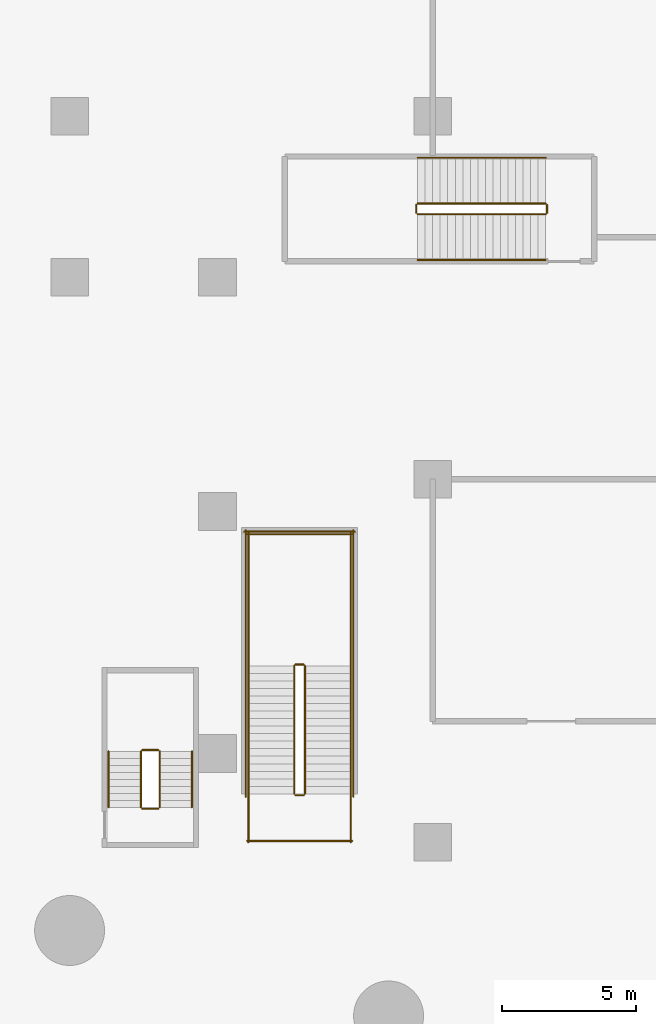
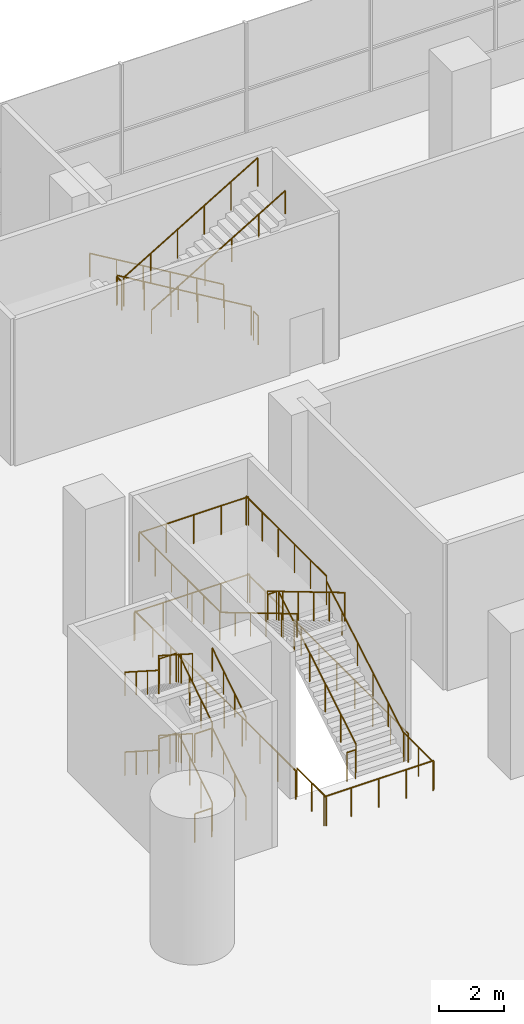
# One storey, part 49 of 52: 33 railings.
"""IFC4 building model written with IfcOpenShell, lengths in metres."""

from ifc_helpers import new_model, si_unit, direction, frame, origin, origin_2d, place, context, subcontext, project, spatial, circle, extrude, material, type_object, element, save


model = new_model("IFC4")

# Units and contexts
model_context = context("Model", 3, precision=1e-05, world=origin(), true_north=direction((0.0, 1.0)))
body_context = subcontext(model_context, "Body", "Model", "MODEL_VIEW")
ifc_project = project(units=[si_unit("LENGTHUNIT", "METRE"), si_unit("AREAUNIT", "SQUARE_METRE"), si_unit("VOLUMEUNIT", "CUBIC_METRE"), si_unit("PLANEANGLEUNIT", "RADIAN"), si_unit("MASSUNIT", "GRAM", prefix="KILO")], contexts=[model_context])

# Site, building, storey
site_placement = place(None, origin())
site = spatial("IfcSite", under=ifc_project, at=site_placement, CompositionType="ELEMENT")
building_placement = place(site_placement, origin())
building = spatial("IfcBuilding", under=site, at=building_placement, Name="Tamarind Cross Interchange Tower", CompositionType="ELEMENT")
storey_placement = place(building_placement, frame((0.0, 0.0, 9.0)))
storey = spatial("IfcBuildingStorey", under=building, at=storey_placement, Name="L01", CompositionType="ELEMENT", Elevation=9.0)

# Railings
ifc_material_1 = material(Name="Public stair guard")
railing_type_1 = type_object("IfcRailingType", Name="Public stair guard", PredefinedType="GUARDRAIL", material=ifc_material_1)
railing_1_placement = place(storey_placement, frame((8.75, 28.800048828125, 0.166748046875)))
element("IfcRailing", 1, at=railing_1_placement, inside=storey, type_object=railing_type_1, Name="L01 PS-N stair guard 1", PredefinedType="GUARDRAIL", context=body_context, shape_type="SweptSolid", body=[
    extrude(circle(Radius=0.02392578125, at=origin_2d()), frame((0.0, 0.0, 1.076171875), z_axis=(0.0, 0.859299802514, 0.511472237174), x_axis=(-1.0, 0.0, 0.0)), (0.0, 0.0, 1.0), 5.539306640625),
    extrude(circle(Radius=0.02099609375, at=origin_2d()), origin(), (0.0, 0.0, 1.0), 1.052001953125),
    extrude(circle(Radius=0.02099609375, at=origin_2d()), frame((0.0, 0.951904296875, 0.566650390625)), (0.0, 0.0, 1.0), 1.052001953125),
    extrude(circle(Radius=0.02099609375, at=origin_2d()), frame((0.0, 1.904052734375, 1.13330078125)), (0.0, 0.0, 1.0), 1.052001953125),
    extrude(circle(Radius=0.02099609375, at=origin_2d()), frame((0.0, 2.85595703125, 1.699951171875)), (0.0, 0.0, 1.0), 1.052001953125),
    extrude(circle(Radius=0.02099609375, at=origin_2d()), frame((0.0, 3.80810546875, 2.2666015625)), (0.0, 0.0, 1.0), 1.052001953125),
    extrude(circle(Radius=0.02099609375, at=origin_2d()), frame((0.0, 4.760009765625, 2.833251953125)), (0.0, 0.0, 1.0), 1.052001953125),
])
railing_2_placement = place(storey_placement, frame((8.699951171875, 33.610107421875, 3.0)))
element("IfcRailing", 2, at=railing_2_placement, inside=storey, type_object=railing_type_1, Name="L01 PS-N stair guard 2", PredefinedType="GUARDRAIL", context=body_context, shape_type="SweptSolid", body=[
    extrude(circle(Radius=0.02392578125, at=origin_2d()), frame((0.0, 0.0, 1.076171875), z_axis=(-1.0, 0.0, 0.0), x_axis=(0.0, -1.0, 0.0)), (0.0, 0.0, 1.0), 0.300048828125),
    extrude(circle(Radius=0.02099609375, at=origin_2d()), origin(), (0.0, 0.0, 1.0), 1.052001953125),
    extrude(circle(Radius=0.02099609375, at=origin_2d()), frame((-0.300048828125, 0.0, 0.0)), (0.0, 0.0, 1.0), 1.052001953125),
])
for number, where, name in (
    (3, (10.449951171875, 33.56005859375, 3.0), "L01 PS-N stair guard 3"),
    (4, (6.64990234375, 33.56005859375, 3.0), "L01 PS-N stair guard 4"),
):
    element("IfcRailing", number, at=place(storey_placement, frame(where)), inside=storey, type_object=railing_type_1, Name=name, PredefinedType="GUARDRAIL", context=body_context, shape_type="SweptSolid", body=[
        extrude(circle(Radius=0.02392578125, at=origin_2d()), frame((0.0, 0.0, 1.076171875), z_axis=(0.0, 1.0, 0.0), x_axis=(-1.0, 0.0, 0.0)), (0.0, 0.0, 1.0), 4.93994140625),
        extrude(circle(Radius=0.02099609375, at=origin_2d()), origin(), (0.0, 0.0, 1.0), 1.052001953125),
        extrude(circle(Radius=0.02099609375, at=origin_2d()), frame((0.0, 0.988037109375, 0.0)), (0.0, 0.0, 1.0), 1.052001953125),
        extrude(circle(Radius=0.02099609375, at=origin_2d()), frame((0.0, 1.97607421875, 0.0)), (0.0, 0.0, 1.0), 1.052001953125),
        extrude(circle(Radius=0.02099609375, at=origin_2d()), frame((0.0, 2.9638671875, 0.0)), (0.0, 0.0, 1.0), 1.052001953125),
        extrude(circle(Radius=0.02099609375, at=origin_2d()), frame((0.0, 3.951904296875, 0.0)), (0.0, 0.0, 1.0), 1.052001953125),
        extrude(circle(Radius=0.02099609375, at=origin_2d()), frame((0.0, 4.93994140625, 0.0)), (0.0, 0.0, 1.0), 1.052001953125),
    ])
railing_3_placement = place(storey_placement, frame((10.5, 38.449951171875, 3.0)))
element("IfcRailing", 5, at=railing_3_placement, inside=storey, type_object=railing_type_1, Name="L01 PS-N stair guard 5", PredefinedType="GUARDRAIL", context=body_context, shape_type="SweptSolid", body=[
    extrude(circle(Radius=0.02392578125, at=origin_2d()), frame((0.0, 0.0, 1.076171875), z_axis=(-1.0, 0.0, 0.0), x_axis=(0.0, -1.0, 0.0)), (0.0, 0.0, 1.0), 3.89990234375),
    extrude(circle(Radius=0.02099609375, at=origin_2d()), origin(), (0.0, 0.0, 1.0), 1.052001953125),
    extrude(circle(Radius=0.02099609375, at=origin_2d()), frame((-0.97509765625, 0.0, 0.0)), (0.0, 0.0, 1.0), 1.052001953125),
    extrude(circle(Radius=0.02099609375, at=origin_2d()), frame((-1.949951171875, 0.0, 0.0)), (0.0, 0.0, 1.0), 1.052001953125),
    extrude(circle(Radius=0.02099609375, at=origin_2d()), frame((-2.9248046875, 0.0, 0.0)), (0.0, 0.0, 1.0), 1.052001953125),
    extrude(circle(Radius=0.02099609375, at=origin_2d()), frame((-3.89990234375, 0.0, 0.0)), (0.0, 0.0, 1.0), 1.052001953125),
])
railing_4_placement = place(storey_placement, frame((8.35009765625, 33.56005859375, 3.166748046875)))
element("IfcRailing", 6, at=railing_4_placement, inside=storey, type_object=railing_type_1, Name="L01 PS-N stair guard 6", PredefinedType="GUARDRAIL", context=body_context, shape_type="SweptSolid", body=[
    extrude(circle(Radius=0.02392578125, at=origin_2d()), frame((0.0, 0.0, 1.076171875), z_axis=(0.0, -0.859299802514, 0.511472237174), x_axis=(1.0, 0.0, 0.0)), (0.0, 0.0, 1.0), 5.539306640625),
    extrude(circle(Radius=0.02099609375, at=origin_2d()), origin(), (0.0, 0.0, 1.0), 1.052001953125),
    extrude(circle(Radius=0.02099609375, at=origin_2d()), frame((0.0, -0.951904296875, 0.566650390625)), (0.0, 0.0, 1.0), 1.052001953125),
    extrude(circle(Radius=0.02099609375, at=origin_2d()), frame((0.0, -1.904052734375, 1.13330078125)), (0.0, 0.0, 1.0), 1.052001953125),
    extrude(circle(Radius=0.02099609375, at=origin_2d()), frame((0.0, -2.85595703125, 1.699951171875)), (0.0, 0.0, 1.0), 1.052001953125),
    extrude(circle(Radius=0.02099609375, at=origin_2d()), frame((0.0, -3.80810546875, 2.2666015625)), (0.0, 0.0, 1.0), 1.052001953125),
    extrude(circle(Radius=0.02099609375, at=origin_2d()), frame((0.0, -4.760009765625, 2.833251953125)), (0.0, 0.0, 1.0), 1.052001953125),
])
railing_5_placement = place(storey_placement, frame((8.699951171875, 28.75, 0.0)))
element("IfcRailing", 7, at=railing_5_placement, inside=storey, type_object=railing_type_1, Name="L01 PS-N stair guard 7", PredefinedType="GUARDRAIL", context=body_context, shape_type="SweptSolid", body=[
    extrude(circle(Radius=0.02392578125, at=origin_2d()), frame((0.0, 0.0, 1.076171875), z_axis=(-1.0, 0.0, 0.0), x_axis=(0.0, -1.0, 0.0)), (0.0, 0.0, 1.0), 0.300048828125),
    extrude(circle(Radius=0.02099609375, at=origin_2d()), origin(), (0.0, 0.0, 1.0), 1.052001953125),
    extrude(circle(Radius=0.02099609375, at=origin_2d()), frame((-0.300048828125, 0.0, 0.0)), (0.0, 0.0, 1.0), 1.052001953125),
])
for number, where, name in (
    (8, (10.449951171875, 27.0, 0.0), "L01 PS-N stair guard 8"),
    (9, (6.64990234375, 27.0, 0.0), "L01 PS-N stair guard 9"),
):
    element("IfcRailing", number, at=place(storey_placement, frame(where)), inside=storey, type_object=railing_type_1, Name=name, PredefinedType="GUARDRAIL", context=body_context, shape_type="SweptSolid", body=[
        extrude(circle(Radius=0.02392578125, at=origin_2d()), frame((0.0, 0.0, 1.076171875), z_axis=(0.0, 1.0, 0.0), x_axis=(-1.0, 0.0, 0.0)), (0.0, 0.0, 1.0), 1.800048828125),
        extrude(circle(Radius=0.02099609375, at=origin_2d()), origin(), (0.0, 0.0, 1.0), 1.052001953125),
        extrude(circle(Radius=0.02099609375, at=origin_2d()), frame((0.0, 0.89990234375, 0.0)), (0.0, 0.0, 1.0), 1.052001953125),
        extrude(circle(Radius=0.02099609375, at=origin_2d()), frame((0.0, 1.800048828125, 0.0)), (0.0, 0.0, 1.0), 1.052001953125),
    ])
railing_6_placement = place(storey_placement, frame((10.5, 27.050048828125, 0.0)))
element("IfcRailing", 10, at=railing_6_placement, inside=storey, type_object=railing_type_1, Name="L01 PS-N stair guard 10", PredefinedType="GUARDRAIL", context=body_context, shape_type="SweptSolid", body=[
    extrude(circle(Radius=0.02392578125, at=origin_2d()), frame((0.0, 0.0, 1.076171875), z_axis=(-1.0, 0.0, 0.0), x_axis=(0.0, -1.0, 0.0)), (0.0, 0.0, 1.0), 3.89990234375),
    extrude(circle(Radius=0.02099609375, at=origin_2d()), origin(), (0.0, 0.0, 1.0), 1.052001953125),
    extrude(circle(Radius=0.02099609375, at=origin_2d()), frame((-0.97509765625, 0.0, 0.0)), (0.0, 0.0, 1.0), 1.052001953125),
    extrude(circle(Radius=0.02099609375, at=origin_2d()), frame((-1.949951171875, 0.0, 0.0)), (0.0, 0.0, 1.0), 1.052001953125),
    extrude(circle(Radius=0.02099609375, at=origin_2d()), frame((-2.9248046875, 0.0, 0.0)), (0.0, 0.0, 1.0), 1.052001953125),
    extrude(circle(Radius=0.02099609375, at=origin_2d()), frame((-3.89990234375, 0.0, 0.0)), (0.0, 0.0, 1.0), 1.052001953125),
])
for number, where, name in (
    (11, (10.550048828125, 28.699951171875, 0.0), "L01 PS-N stair guard 11"),
    (12, (6.550048828125, 28.699951171875, 0.0), "L01 PS-N stair guard 12"),
):
    element("IfcRailing", number, at=place(storey_placement, frame(where)), inside=storey, type_object=railing_type_1, Name=name, PredefinedType="GUARDRAIL", context=body_context, shape_type="SweptSolid", body=[
        extrude(circle(Radius=0.02392578125, at=origin_2d()), frame((0.0, 0.0, 1.076171875), z_axis=(0.0, 1.0, 0.0), x_axis=(-1.0, 0.0, 0.0)), (0.0, 0.0, 1.0), 9.900146484375),
        extrude(circle(Radius=0.02099609375, at=origin_2d()), origin(), (0.0, 0.0, 1.0), 1.052001953125),
        extrude(circle(Radius=0.02099609375, at=origin_2d()), frame((0.0, 1.10009765625, 0.0)), (0.0, 0.0, 1.0), 1.052001953125),
        extrude(circle(Radius=0.02099609375, at=origin_2d()), frame((0.0, 2.199951171875, 0.0)), (0.0, 0.0, 1.0), 1.052001953125),
        extrude(circle(Radius=0.02099609375, at=origin_2d()), frame((0.0, 3.300048828125, 0.0)), (0.0, 0.0, 1.0), 1.052001953125),
        extrude(circle(Radius=0.02099609375, at=origin_2d()), frame((0.0, 4.400146484375, 0.0)), (0.0, 0.0, 1.0), 1.052001953125),
        extrude(circle(Radius=0.02099609375, at=origin_2d()), frame((0.0, 5.5, 0.0)), (0.0, 0.0, 1.0), 1.052001953125),
        extrude(circle(Radius=0.02099609375, at=origin_2d()), frame((0.0, 6.60009765625, 0.0)), (0.0, 0.0, 1.0), 1.052001953125),
        extrude(circle(Radius=0.02099609375, at=origin_2d()), frame((0.0, 7.7001953125, 0.0)), (0.0, 0.0, 1.0), 1.052001953125),
        extrude(circle(Radius=0.02099609375, at=origin_2d()), frame((0.0, 8.800048828125, 0.0)), (0.0, 0.0, 1.0), 1.052001953125),
        extrude(circle(Radius=0.02099609375, at=origin_2d()), frame((0.0, 9.900146484375, 0.0)), (0.0, 0.0, 1.0), 1.052001953125),
    ])
railing_7_placement = place(storey_placement, frame((10.60009765625, 38.550048828125, 0.0)))
element("IfcRailing", 13, at=railing_7_placement, inside=storey, type_object=railing_type_1, Name="L01 PS-N stair guard 13", PredefinedType="GUARDRAIL", context=body_context, shape_type="SweptSolid", body=[
    extrude(circle(Radius=0.02392578125, at=origin_2d()), frame((0.0, 0.0, 1.076171875), z_axis=(-1.0, 0.0, 0.0), x_axis=(0.0, -1.0, 0.0)), (0.0, 0.0, 1.0), 4.10009765625),
    extrude(circle(Radius=0.02099609375, at=origin_2d()), origin(), (0.0, 0.0, 1.0), 1.052001953125),
    extrude(circle(Radius=0.02099609375, at=origin_2d()), frame((-1.02490234375, 0.0, 0.0)), (0.0, 0.0, 1.0), 1.052001953125),
    extrude(circle(Radius=0.02099609375, at=origin_2d()), frame((-2.050048828125, 0.0, 0.0)), (0.0, 0.0, 1.0), 1.052001953125),
    extrude(circle(Radius=0.02099609375, at=origin_2d()), frame((-3.0751953125, 0.0, 0.0)), (0.0, 0.0, 1.0), 1.052001953125),
    extrude(circle(Radius=0.02099609375, at=origin_2d()), frame((-4.10009765625, 0.0, 0.0)), (0.0, 0.0, 1.0), 1.052001953125),
])
railing_8_placement = place(storey_placement, frame((17.699951171875, 50.75, 0.166748046875)))
element("IfcRailing", 14, at=railing_8_placement, inside=storey, type_object=railing_type_1, Name="L01 XS-P03 stair guard 1", PredefinedType="GUARDRAIL", context=body_context, shape_type="SweptSolid", body=[
    extrude(circle(Radius=0.02392578125, at=origin_2d()), frame((0.0, 0.0, 1.076171875), z_axis=(-0.859299802514, 0.0, 0.511472237174), x_axis=(0.0, -1.0, 0.0)), (0.0, 0.0, 1.0), 5.539306640625),
    extrude(circle(Radius=0.02099609375, at=origin_2d()), origin(), (0.0, 0.0, 1.0), 1.052001953125),
    extrude(circle(Radius=0.02099609375, at=origin_2d()), frame((-0.951904296875, 0.0, 0.566650390625)), (0.0, 0.0, 1.0), 1.052001953125),
    extrude(circle(Radius=0.02099609375, at=origin_2d()), frame((-1.904052734375, 0.0, 1.13330078125)), (0.0, 0.0, 1.0), 1.052001953125),
    extrude(circle(Radius=0.02099609375, at=origin_2d()), frame((-2.85595703125, 0.0, 1.699951171875)), (0.0, 0.0, 1.0), 1.052001953125),
    extrude(circle(Radius=0.02099609375, at=origin_2d()), frame((-3.80810546875, 0.0, 2.2666015625)), (0.0, 0.0, 1.0), 1.052001953125),
    extrude(circle(Radius=0.02099609375, at=origin_2d()), frame((-4.760009765625, 0.0, 2.833251953125)), (0.0, 0.0, 1.0), 1.052001953125),
])
railing_9_placement = place(storey_placement, frame((12.889892578125, 50.699951171875, 3.0)))
element("IfcRailing", 15, at=railing_9_placement, inside=storey, type_object=railing_type_1, Name="L01 XS-P03 stair guard 2", PredefinedType="GUARDRAIL", context=body_context, shape_type="SweptSolid", body=[
    extrude(circle(Radius=0.02392578125, at=origin_2d()), frame((0.0, 0.0, 1.076171875), z_axis=(0.0, -1.0, 0.0), x_axis=(1.0, 0.0, 0.0)), (0.0, 0.0, 1.0), 0.300048828125),
    extrude(circle(Radius=0.02099609375, at=origin_2d()), origin(), (0.0, 0.0, 1.0), 1.052001953125),
    extrude(circle(Radius=0.02099609375, at=origin_2d()), frame((0.0, -0.300048828125, 0.0)), (0.0, 0.0, 1.0), 1.052001953125),
])
railing_10_placement = place(storey_placement, frame((12.93994140625, 50.35009765625, 3.166748046875)))
element("IfcRailing", 16, at=railing_10_placement, inside=storey, type_object=railing_type_1, Name="L01 XS-P03 stair guard 3", PredefinedType="GUARDRAIL", context=body_context, shape_type="SweptSolid", body=[
    extrude(circle(Radius=0.02392578125, at=origin_2d()), frame((0.0, 0.0, 1.076171875), z_axis=(0.859299802514, 0.0, 0.511472237174), x_axis=(0.0, 1.0, 0.0)), (0.0, 0.0, 1.0), 5.539306640625),
    extrude(circle(Radius=0.02099609375, at=origin_2d()), origin(), (0.0, 0.0, 1.0), 1.052001953125),
    extrude(circle(Radius=0.02099609375, at=origin_2d()), frame((0.951904296875, 0.0, 0.566650390625)), (0.0, 0.0, 1.0), 1.052001953125),
    extrude(circle(Radius=0.02099609375, at=origin_2d()), frame((1.904052734375, 0.0, 1.13330078125)), (0.0, 0.0, 1.0), 1.052001953125),
    extrude(circle(Radius=0.02099609375, at=origin_2d()), frame((2.85595703125, 0.0, 1.699951171875)), (0.0, 0.0, 1.0), 1.052001953125),
    extrude(circle(Radius=0.02099609375, at=origin_2d()), frame((3.80810546875, 0.0, 2.2666015625)), (0.0, 0.0, 1.0), 1.052001953125),
    extrude(circle(Radius=0.02099609375, at=origin_2d()), frame((4.760009765625, 0.0, 2.833251953125)), (0.0, 0.0, 1.0), 1.052001953125),
])
railing_11_placement = place(storey_placement, frame((17.75, 50.699951171875, 0.0)))
element("IfcRailing", 17, at=railing_11_placement, inside=storey, type_object=railing_type_1, Name="L01 XS-P03 stair guard 4", PredefinedType="GUARDRAIL", context=body_context, shape_type="SweptSolid", body=[
    extrude(circle(Radius=0.02392578125, at=origin_2d()), frame((0.0, 0.0, 1.076171875), z_axis=(0.0, -1.0, 0.0), x_axis=(1.0, 0.0, 0.0)), (0.0, 0.0, 1.0), 0.300048828125),
    extrude(circle(Radius=0.02099609375, at=origin_2d()), origin(), (0.0, 0.0, 1.0), 1.052001953125),
    extrude(circle(Radius=0.02099609375, at=origin_2d()), frame((0.0, -0.300048828125, 0.0)), (0.0, 0.0, 1.0), 1.052001953125),
])
ifc_material_2 = material(Name="Public stair handrail")
railing_type_2 = type_object("IfcRailingType", Name="Public stair handrail", PredefinedType="HANDRAIL", material=ifc_material_2)
railing_12_placement = place(storey_placement, frame((10.449951171875, 28.800048828125, 0.166748046875)))
element("IfcRailing", 18, at=railing_12_placement, inside=storey, type_object=railing_type_2, Name="L01 PS-N stair handrail 1", PredefinedType="HANDRAIL", context=body_context, shape_type="SweptSolid", body=[
    extrude(circle(Radius=0.02392578125, at=origin_2d()), frame((0.0, 0.0, 0.8759765625), z_axis=(0.0, 0.859299802514, 0.511472237174), x_axis=(-1.0, 0.0, 0.0)), (0.0, 0.0, 1.0), 5.539306640625),
    extrude(circle(Radius=0.02099609375, at=origin_2d()), origin(), (0.0, 0.0, 1.0), 0.851806640625),
    extrude(circle(Radius=0.02099609375, at=origin_2d()), frame((0.0, 0.951904296875, 0.566650390625)), (0.0, 0.0, 1.0), 0.851806640625),
    extrude(circle(Radius=0.02099609375, at=origin_2d()), frame((0.0, 1.904052734375, 1.13330078125)), (0.0, 0.0, 1.0), 0.851806640625),
    extrude(circle(Radius=0.02099609375, at=origin_2d()), frame((0.0, 2.85595703125, 1.699951171875)), (0.0, 0.0, 1.0), 0.851806640625),
    extrude(circle(Radius=0.02099609375, at=origin_2d()), frame((0.0, 3.80810546875, 2.2666015625)), (0.0, 0.0, 1.0), 0.851806640625),
    extrude(circle(Radius=0.02099609375, at=origin_2d()), frame((0.0, 4.760009765625, 2.833251953125)), (0.0, 0.0, 1.0), 0.851806640625),
])
railing_13_placement = place(storey_placement, frame((6.64990234375, 33.56005859375, 3.166748046875)))
element("IfcRailing", 19, at=railing_13_placement, inside=storey, type_object=railing_type_2, Name="L01 PS-N stair handrail 2", PredefinedType="HANDRAIL", context=body_context, shape_type="SweptSolid", body=[
    extrude(circle(Radius=0.02392578125, at=origin_2d()), frame((0.0, 0.0, 0.8759765625), z_axis=(0.0, -0.859299802514, 0.511472237174), x_axis=(1.0, 0.0, 0.0)), (0.0, 0.0, 1.0), 5.539306640625),
    extrude(circle(Radius=0.02099609375, at=origin_2d()), origin(), (0.0, 0.0, 1.0), 0.851806640625),
    extrude(circle(Radius=0.02099609375, at=origin_2d()), frame((0.0, -0.951904296875, 0.566650390625)), (0.0, 0.0, 1.0), 0.851806640625),
    extrude(circle(Radius=0.02099609375, at=origin_2d()), frame((0.0, -1.904052734375, 1.13330078125)), (0.0, 0.0, 1.0), 0.851806640625),
    extrude(circle(Radius=0.02099609375, at=origin_2d()), frame((0.0, -2.85595703125, 1.699951171875)), (0.0, 0.0, 1.0), 0.851806640625),
    extrude(circle(Radius=0.02099609375, at=origin_2d()), frame((0.0, -3.80810546875, 2.2666015625)), (0.0, 0.0, 1.0), 0.851806640625),
    extrude(circle(Radius=0.02099609375, at=origin_2d()), frame((0.0, -4.760009765625, 2.833251953125)), (0.0, 0.0, 1.0), 0.851806640625),
])
railing_14_placement = place(storey_placement, frame((17.699951171875, 52.449951171875, 0.166748046875)))
element("IfcRailing", 20, at=railing_14_placement, inside=storey, type_object=railing_type_2, Name="L01 XS-P03 stair handrail 1", PredefinedType="HANDRAIL", context=body_context, shape_type="SweptSolid", body=[
    extrude(circle(Radius=0.02392578125, at=origin_2d()), frame((0.0, 0.0, 0.8759765625), z_axis=(-0.859299802514, 0.0, 0.511472237174), x_axis=(0.0, -1.0, 0.0)), (0.0, 0.0, 1.0), 5.539306640625),
    extrude(circle(Radius=0.02099609375, at=origin_2d()), origin(), (0.0, 0.0, 1.0), 0.851806640625),
    extrude(circle(Radius=0.02099609375, at=origin_2d()), frame((-0.951904296875, 0.0, 0.566650390625)), (0.0, 0.0, 1.0), 0.851806640625),
    extrude(circle(Radius=0.02099609375, at=origin_2d()), frame((-1.904052734375, 0.0, 1.13330078125)), (0.0, 0.0, 1.0), 0.851806640625),
    extrude(circle(Radius=0.02099609375, at=origin_2d()), frame((-2.85595703125, 0.0, 1.699951171875)), (0.0, 0.0, 1.0), 0.851806640625),
    extrude(circle(Radius=0.02099609375, at=origin_2d()), frame((-3.80810546875, 0.0, 2.2666015625)), (0.0, 0.0, 1.0), 0.851806640625),
    extrude(circle(Radius=0.02099609375, at=origin_2d()), frame((-4.760009765625, 0.0, 2.833251953125)), (0.0, 0.0, 1.0), 0.851806640625),
])
railing_15_placement = place(storey_placement, frame((12.93994140625, 48.64990234375, 3.166748046875)))
element("IfcRailing", 21, at=railing_15_placement, inside=storey, type_object=railing_type_2, Name="L01 XS-P03 stair handrail 2", PredefinedType="HANDRAIL", context=body_context, shape_type="SweptSolid", body=[
    extrude(circle(Radius=0.02392578125, at=origin_2d()), frame((0.0, 0.0, 0.8759765625), z_axis=(0.859299802514, 0.0, 0.511472237174), x_axis=(0.0, 1.0, 0.0)), (0.0, 0.0, 1.0), 5.539306640625),
    extrude(circle(Radius=0.02099609375, at=origin_2d()), origin(), (0.0, 0.0, 1.0), 0.851806640625),
    extrude(circle(Radius=0.02099609375, at=origin_2d()), frame((0.951904296875, 0.0, 0.566650390625)), (0.0, 0.0, 1.0), 0.851806640625),
    extrude(circle(Radius=0.02099609375, at=origin_2d()), frame((1.904052734375, 0.0, 1.13330078125)), (0.0, 0.0, 1.0), 0.851806640625),
    extrude(circle(Radius=0.02099609375, at=origin_2d()), frame((2.85595703125, 0.0, 1.699951171875)), (0.0, 0.0, 1.0), 0.851806640625),
    extrude(circle(Radius=0.02099609375, at=origin_2d()), frame((3.80810546875, 0.0, 2.2666015625)), (0.0, 0.0, 1.0), 0.851806640625),
    extrude(circle(Radius=0.02099609375, at=origin_2d()), frame((4.760009765625, 0.0, 2.833251953125)), (0.0, 0.0, 1.0), 0.851806640625),
])
ifc_material_3 = material(Name="Stair guard")
railing_type_3 = type_object("IfcRailingType", Name="Stair guard", PredefinedType="GUARDRAIL", material=ifc_material_3)
railing_16_placement = place(storey_placement, frame((3.35009765625, 28.300048828125, 0.166748046875)))
element("IfcRailing", 22, at=railing_16_placement, inside=storey, type_object=railing_type_3, Name="L01 ST4 stair guard 1", PredefinedType="GUARDRAIL", context=body_context, shape_type="SweptSolid", body=[
    extrude(circle(Radius=0.02392578125, at=origin_2d()), frame((0.0, 0.0, 1.076171875), z_axis=(0.0, 0.84187453394, 0.539673298491), x_axis=(-1.0, 0.0, 0.0)), (0.0, 0.0, 1.0), 2.470458984375),
    extrude(circle(Radius=0.02099609375, at=origin_2d()), origin(), (0.0, 0.0, 1.0), 1.052001953125),
    extrude(circle(Radius=0.02099609375, at=origin_2d()), frame((0.0, 0.693359375, 0.4443359375)), (0.0, 0.0, 1.0), 1.052001953125),
    extrude(circle(Radius=0.02099609375, at=origin_2d()), frame((0.0, 1.386474609375, 0.888916015625)), (0.0, 0.0, 1.0), 1.052001953125),
    extrude(circle(Radius=0.02099609375, at=origin_2d()), frame((0.0, 2.079833984375, 1.333251953125)), (0.0, 0.0, 1.0), 1.052001953125),
])
railing_17_placement = place(storey_placement, frame((3.300048828125, 30.429931640625, 1.5)))
element("IfcRailing", 23, at=railing_17_placement, inside=storey, type_object=railing_type_3, Name="L01 ST4 stair guard 2", PredefinedType="GUARDRAIL", context=body_context, shape_type="SweptSolid", body=[
    extrude(circle(Radius=0.02392578125, at=origin_2d()), frame((0.0, 0.0, 1.076171875), z_axis=(-1.0, 0.0, 0.0), x_axis=(0.0, -1.0, 0.0)), (0.0, 0.0, 1.0), 0.60009765625),
    extrude(circle(Radius=0.02099609375, at=origin_2d()), origin(), (0.0, 0.0, 1.0), 1.052001953125),
    extrude(circle(Radius=0.02099609375, at=origin_2d()), frame((-0.60009765625, 0.0, 0.0)), (0.0, 0.0, 1.0), 1.052001953125),
])
railing_18_placement = place(storey_placement, frame((2.64990234375, 30.3798828125, 1.666748046875)))
element("IfcRailing", 24, at=railing_18_placement, inside=storey, type_object=railing_type_3, Name="L01 ST4 stair guard 3", PredefinedType="GUARDRAIL", context=body_context, shape_type="SweptSolid", body=[
    extrude(circle(Radius=0.02392578125, at=origin_2d()), frame((0.0, 0.0, 1.076171875), z_axis=(0.0, -0.84187453394, 0.539673298491), x_axis=(1.0, 0.0, 0.0)), (0.0, 0.0, 1.0), 2.470458984375),
    extrude(circle(Radius=0.02099609375, at=origin_2d()), origin(), (0.0, 0.0, 1.0), 1.052001953125),
    extrude(circle(Radius=0.02099609375, at=origin_2d()), frame((0.0, -0.693359375, 0.4443359375)), (0.0, 0.0, 1.0), 1.052001953125),
    extrude(circle(Radius=0.02099609375, at=origin_2d()), frame((0.0, -1.386474609375, 0.888916015625)), (0.0, 0.0, 1.0), 1.052001953125),
    extrude(circle(Radius=0.02099609375, at=origin_2d()), frame((0.0, -2.079833984375, 1.333251953125)), (0.0, 0.0, 1.0), 1.052001953125),
])
railing_19_placement = place(storey_placement, frame((3.300048828125, 28.25, 3.0)))
element("IfcRailing", 25, at=railing_19_placement, inside=storey, type_object=railing_type_3, Name="L01 ST4 stair guard 4", PredefinedType="GUARDRAIL", context=body_context, shape_type="SweptSolid", body=[
    extrude(circle(Radius=0.02392578125, at=origin_2d()), frame((0.0, 0.0, 1.076171875), z_axis=(-1.0, 0.0, 0.0), x_axis=(0.0, -1.0, 0.0)), (0.0, 0.0, 1.0), 0.60009765625),
    extrude(circle(Radius=0.02099609375, at=origin_2d()), origin(), (0.0, 0.0, 1.0), 1.052001953125),
    extrude(circle(Radius=0.02099609375, at=origin_2d()), frame((-0.60009765625, 0.0, 0.0)), (0.0, 0.0, 1.0), 1.052001953125),
])
railing_20_placement = place(storey_placement, frame((3.35009765625, 28.300048828125, 3.166748046875)))
element("IfcRailing", 26, at=railing_20_placement, inside=storey, type_object=railing_type_3, Name="L01 ST4 stair guard 5", PredefinedType="GUARDRAIL", context=body_context, shape_type="SweptSolid", body=[
    extrude(circle(Radius=0.02392578125, at=origin_2d()), frame((0.0, 0.0, 1.076171875), z_axis=(0.0, 0.84187453394, 0.539673298491), x_axis=(-1.0, 0.0, 0.0)), (0.0, 0.0, 1.0), 2.470458984375),
    extrude(circle(Radius=0.02099609375, at=origin_2d()), origin(), (0.0, 0.0, 1.0), 1.052001953125),
    extrude(circle(Radius=0.02099609375, at=origin_2d()), frame((0.0, 0.693359375, 0.4443359375)), (0.0, 0.0, 1.0), 1.052001953125),
    extrude(circle(Radius=0.02099609375, at=origin_2d()), frame((0.0, 1.386474609375, 0.888916015625)), (0.0, 0.0, 1.0), 1.052001953125),
    extrude(circle(Radius=0.02099609375, at=origin_2d()), frame((0.0, 2.079833984375, 1.333251953125)), (0.0, 0.0, 1.0), 1.052001953125),
])
railing_21_placement = place(storey_placement, frame((3.300048828125, 30.429931640625, 4.5)))
element("IfcRailing", 27, at=railing_21_placement, inside=storey, type_object=railing_type_3, Name="L01 ST4 stair guard 6", PredefinedType="GUARDRAIL", context=body_context, shape_type="SweptSolid", body=[
    extrude(circle(Radius=0.02392578125, at=origin_2d()), frame((0.0, 0.0, 1.076171875), z_axis=(-1.0, 0.0, 0.0), x_axis=(0.0, -1.0, 0.0)), (0.0, 0.0, 1.0), 0.60009765625),
    extrude(circle(Radius=0.02099609375, at=origin_2d()), origin(), (0.0, 0.0, 1.0), 1.052001953125),
    extrude(circle(Radius=0.02099609375, at=origin_2d()), frame((-0.60009765625, 0.0, 0.0)), (0.0, 0.0, 1.0), 1.052001953125),
])
railing_22_placement = place(storey_placement, frame((2.64990234375, 30.3798828125, 4.666748046875)))
element("IfcRailing", 28, at=railing_22_placement, inside=storey, type_object=railing_type_3, Name="L01 ST4 stair guard 7", PredefinedType="GUARDRAIL", context=body_context, shape_type="SweptSolid", body=[
    extrude(circle(Radius=0.02392578125, at=origin_2d()), frame((0.0, 0.0, 1.076171875), z_axis=(0.0, -0.84187453394, 0.539673298491), x_axis=(1.0, 0.0, 0.0)), (0.0, 0.0, 1.0), 2.470458984375),
    extrude(circle(Radius=0.02099609375, at=origin_2d()), origin(), (0.0, 0.0, 1.0), 1.052001953125),
    extrude(circle(Radius=0.02099609375, at=origin_2d()), frame((0.0, -0.693359375, 0.4443359375)), (0.0, 0.0, 1.0), 1.052001953125),
    extrude(circle(Radius=0.02099609375, at=origin_2d()), frame((0.0, -1.386474609375, 0.888916015625)), (0.0, 0.0, 1.0), 1.052001953125),
    extrude(circle(Radius=0.02099609375, at=origin_2d()), frame((0.0, -2.079833984375, 1.333251953125)), (0.0, 0.0, 1.0), 1.052001953125),
])
railing_23_placement = place(storey_placement, frame((3.300048828125, 28.25, 0.0)))
element("IfcRailing", 29, at=railing_23_placement, inside=storey, type_object=railing_type_3, Name="L01 ST4 stair guard 8", PredefinedType="GUARDRAIL", context=body_context, shape_type="SweptSolid", body=[
    extrude(circle(Radius=0.02392578125, at=origin_2d()), frame((0.0, 0.0, 1.076171875), z_axis=(-1.0, 0.0, 0.0), x_axis=(0.0, -1.0, 0.0)), (0.0, 0.0, 1.0), 0.60009765625),
    extrude(circle(Radius=0.02099609375, at=origin_2d()), origin(), (0.0, 0.0, 1.0), 1.052001953125),
    extrude(circle(Radius=0.02099609375, at=origin_2d()), frame((-0.60009765625, 0.0, 0.0)), (0.0, 0.0, 1.0), 1.052001953125),
])
ifc_material_4 = material(Name="Stair handrail")
railing_type_4 = type_object("IfcRailingType", Name="Stair handrail", PredefinedType="HANDRAIL", material=ifc_material_4)
railing_24_placement = place(storey_placement, frame((4.550048828125, 28.300048828125, 0.166748046875)))
element("IfcRailing", 30, at=railing_24_placement, inside=storey, type_object=railing_type_4, Name="L01 ST4 stair handrail 1", PredefinedType="HANDRAIL", context=body_context, shape_type="SweptSolid", body=[
    extrude(circle(Radius=0.02392578125, at=origin_2d()), frame((0.0, 0.0, 0.8759765625), z_axis=(0.0, 0.84187453394, 0.539673298491), x_axis=(-1.0, 0.0, 0.0)), (0.0, 0.0, 1.0), 2.470458984375),
    extrude(circle(Radius=0.02099609375, at=origin_2d()), origin(), (0.0, 0.0, 1.0), 0.851806640625),
    extrude(circle(Radius=0.02099609375, at=origin_2d()), frame((0.0, 0.693359375, 0.4443359375)), (0.0, 0.0, 1.0), 0.851806640625),
    extrude(circle(Radius=0.02099609375, at=origin_2d()), frame((0.0, 1.386474609375, 0.888916015625)), (0.0, 0.0, 1.0), 0.851806640625),
    extrude(circle(Radius=0.02099609375, at=origin_2d()), frame((0.0, 2.079833984375, 1.333251953125)), (0.0, 0.0, 1.0), 0.851806640625),
])
railing_25_placement = place(storey_placement, frame((1.449951171875, 30.3798828125, 1.666748046875)))
element("IfcRailing", 31, at=railing_25_placement, inside=storey, type_object=railing_type_4, Name="L01 ST4 stair handrail 2", PredefinedType="HANDRAIL", context=body_context, shape_type="SweptSolid", body=[
    extrude(circle(Radius=0.02392578125, at=origin_2d()), frame((0.0, 0.0, 0.8759765625), z_axis=(0.0, -0.84187453394, 0.539673298491), x_axis=(1.0, 0.0, 0.0)), (0.0, 0.0, 1.0), 2.470458984375),
    extrude(circle(Radius=0.02099609375, at=origin_2d()), origin(), (0.0, 0.0, 1.0), 0.851806640625),
    extrude(circle(Radius=0.02099609375, at=origin_2d()), frame((0.0, -0.693359375, 0.4443359375)), (0.0, 0.0, 1.0), 0.851806640625),
    extrude(circle(Radius=0.02099609375, at=origin_2d()), frame((0.0, -1.386474609375, 0.888916015625)), (0.0, 0.0, 1.0), 0.851806640625),
    extrude(circle(Radius=0.02099609375, at=origin_2d()), frame((0.0, -2.079833984375, 1.333251953125)), (0.0, 0.0, 1.0), 0.851806640625),
])
railing_26_placement = place(storey_placement, frame((4.550048828125, 28.300048828125, 3.166748046875)))
element("IfcRailing", 32, at=railing_26_placement, inside=storey, type_object=railing_type_4, Name="L01 ST4 stair handrail 3", PredefinedType="HANDRAIL", context=body_context, shape_type="SweptSolid", body=[
    extrude(circle(Radius=0.02392578125, at=origin_2d()), frame((0.0, 0.0, 0.8759765625), z_axis=(0.0, 0.84187453394, 0.539673298491), x_axis=(-1.0, 0.0, 0.0)), (0.0, 0.0, 1.0), 2.470458984375),
    extrude(circle(Radius=0.02099609375, at=origin_2d()), origin(), (0.0, 0.0, 1.0), 0.851806640625),
    extrude(circle(Radius=0.02099609375, at=origin_2d()), frame((0.0, 0.693359375, 0.4443359375)), (0.0, 0.0, 1.0), 0.851806640625),
    extrude(circle(Radius=0.02099609375, at=origin_2d()), frame((0.0, 1.386474609375, 0.888916015625)), (0.0, 0.0, 1.0), 0.851806640625),
    extrude(circle(Radius=0.02099609375, at=origin_2d()), frame((0.0, 2.079833984375, 1.333251953125)), (0.0, 0.0, 1.0), 0.851806640625),
])
railing_27_placement = place(storey_placement, frame((1.449951171875, 30.3798828125, 4.666748046875)))
element("IfcRailing", 33, at=railing_27_placement, inside=storey, type_object=railing_type_4, Name="L01 ST4 stair handrail 4", PredefinedType="HANDRAIL", context=body_context, shape_type="SweptSolid", body=[
    extrude(circle(Radius=0.02392578125, at=origin_2d()), frame((0.0, 0.0, 0.8759765625), z_axis=(0.0, -0.84187453394, 0.539673298491), x_axis=(1.0, 0.0, 0.0)), (0.0, 0.0, 1.0), 2.470458984375),
    extrude(circle(Radius=0.02099609375, at=origin_2d()), origin(), (0.0, 0.0, 1.0), 0.851806640625),
    extrude(circle(Radius=0.02099609375, at=origin_2d()), frame((0.0, -0.693359375, 0.4443359375)), (0.0, 0.0, 1.0), 0.851806640625),
    extrude(circle(Radius=0.02099609375, at=origin_2d()), frame((0.0, -1.386474609375, 0.888916015625)), (0.0, 0.0, 1.0), 0.851806640625),
    extrude(circle(Radius=0.02099609375, at=origin_2d()), frame((0.0, -2.079833984375, 1.333251953125)), (0.0, 0.0, 1.0), 0.851806640625),
])

save(model, "model.ifc")
